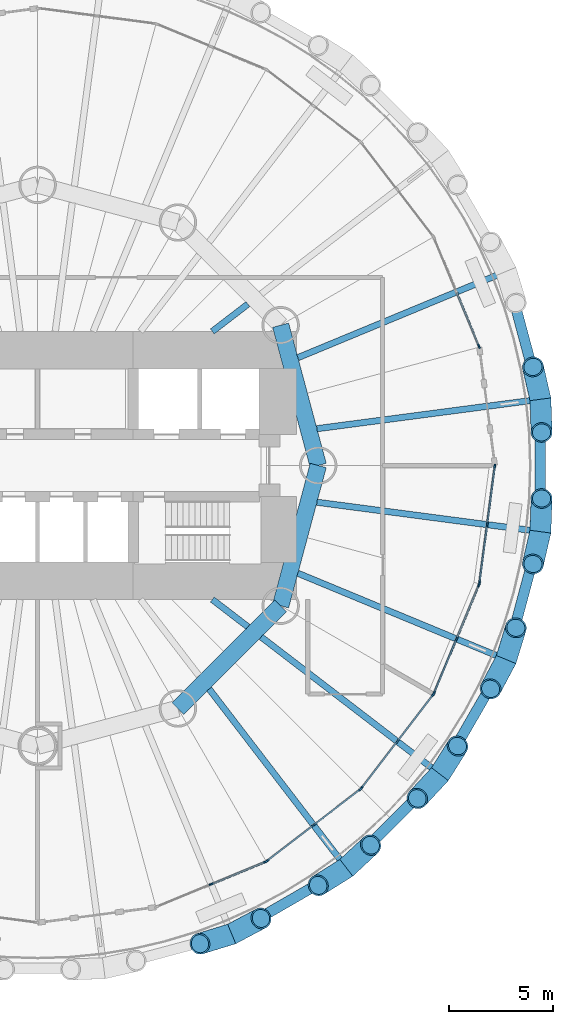
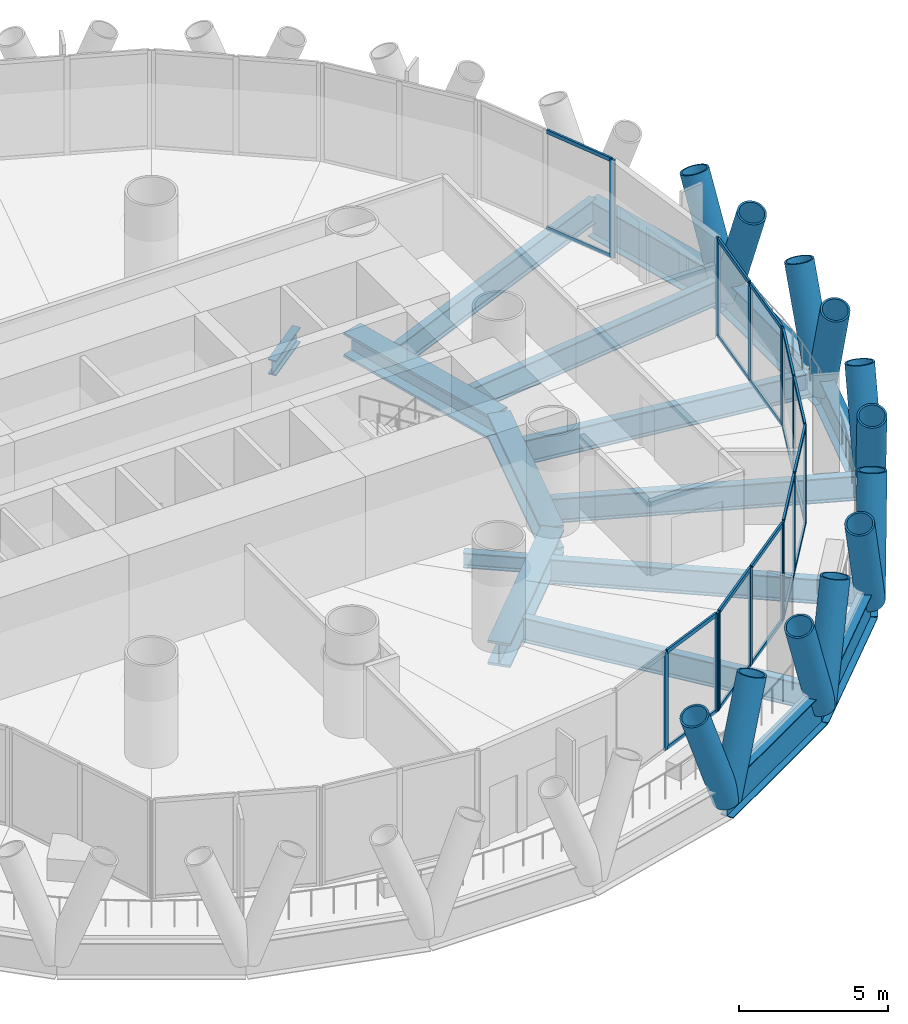
# One storey, part 4 of 14: 47 members, 17 beams, 6 elements without a shape of their own.
"""IFC4 building model written with IfcOpenShell, lengths in metres."""

from ifc_helpers import new_model, si_unit, direction, frame, origin, origin_2d, place, context, subcontext, project, spatial, rectangle, hollow_circle, i_section, extrude, material, material_profile, profile_set, type_object, element, aggregate, save


model = new_model("IFC4")

# Units and contexts
model_context = context("Model", 3, precision=1e-05, world=origin(), true_north=direction((0.0, 1.0)))
body_context = subcontext(model_context, "Body", "Model", "MODEL_VIEW")
ifc_project = project(units=[si_unit("LENGTHUNIT", "METRE"), si_unit("AREAUNIT", "SQUARE_METRE"), si_unit("VOLUMEUNIT", "CUBIC_METRE"), si_unit("PLANEANGLEUNIT", "RADIAN"), si_unit("MASSUNIT", "GRAM", prefix="KILO")], contexts=[model_context])

# Site, building, storey
site_placement = place(None, origin())
site = spatial("IfcSite", under=ifc_project, at=site_placement, CompositionType="ELEMENT")
building_placement = place(site_placement, origin())
building = spatial("IfcBuilding", under=site, at=building_placement, Name="Qaws Media Tower", CompositionType="ELEMENT")
storey_placement = place(building_placement, frame((0.0, 0.0, 185.60009765625)))
storey = spatial("IfcBuildingStorey", under=building, at=storey_placement, Name="L42", CompositionType="ELEMENT", Elevation=185.60009765625)

# Curtain wall, member
ifc_material_1 = material(Name="Aluminium and clear glass", Category="aluminium")
curtain_wall_type = type_object("IfcCurtainWallType", Name="Unitised curtain wall CW-B", PredefinedType="NOTDEFINED", material=ifc_material_1)
curtain_wall_1_placement = place(storey_placement, origin())
curtain_wall_1 = element("IfcCurtainWall", 1, at=curtain_wall_1_placement, inside=storey, type_object=curtain_wall_type, Name="CWB curtain wall L42-02", PredefinedType="NOTDEFINED")
ifc_material_2 = material(Name="Aluminium mullion", Category="aluminium")
ifc_material_profile_1 = material_profile(ifc_material_2, rectangle(XDim=0.080078125, YDim=0.199951171875, at=origin_2d()), Name="80x200")
ifc_profile_set_1 = profile_set([ifc_material_profile_1], Name="Aluminium mullion")
member_type_1 = type_object("IfcMemberType", Name="Curtain wall mullion 80x200", PredefinedType="MULLION", material=ifc_profile_set_1)
member_1_placement = place(storey_placement, frame((81.235107421875, 55.73095703125, 0.0), z_axis=(0.0, 0.0, 1.0), x_axis=(-0.923879550478, -0.38268338899, 0.0)))
member_1 = element("IfcMember", 2, at=member_1_placement, type_object=member_type_1, Name="CWB mullion 1", PredefinedType="MULLION", context=body_context, shape_type="SweptSolid", body=[
    extrude(rectangle(XDim=0.080078125, YDim=0.199951171875, at=origin_2d()), origin(), (0.0, 0.0, 1.0), 4.039794921875),
])

# Curtain wall, members
curtain_wall_2_placement = place(storey_placement, origin())
curtain_wall_2 = element("IfcCurtainWall", 3, at=curtain_wall_2_placement, inside=storey, type_object=curtain_wall_type, Name="CWB curtain wall L42-20", PredefinedType="NOTDEFINED")
member_2_placement = place(storey_placement, frame((68.346923828125, 29.8486328125, 0.0), z_axis=(0.0, 0.0, 1.0), x_axis=(-0.38268338899, 0.923879550478, 0.0)))
member_2 = element("IfcMember", 4, at=member_2_placement, type_object=member_type_1, Name="CWB mullion 2", PredefinedType="MULLION", context=body_context, shape_type="SweptSolid", body=[
    extrude(rectangle(XDim=0.080078125, YDim=0.199951171875, at=origin_2d()), origin(), (0.0, 0.0, 1.0), 4.039794921875),
])
member_3_placement = place(storey_placement, frame((70.963134765625, 30.93212890625, 0.0), z_axis=(0.0, 0.0, 1.0), x_axis=(-0.38268338899, 0.923879550478, 0.0)))
member_3 = element("IfcMember", 5, at=member_3_placement, type_object=member_type_1, Name="CWB mullion 3", PredefinedType="MULLION", context=body_context, shape_type="SweptSolid", body=[
    extrude(rectangle(XDim=0.080078125, YDim=0.199951171875, at=origin_2d()), origin(), (0.0, 0.0, 1.0), 4.039794921875),
])

curtain_wall_3_placement = place(storey_placement, origin())
curtain_wall_3 = element("IfcCurtainWall", 6, at=curtain_wall_3_placement, inside=storey, type_object=curtain_wall_type, Name="CWB curtain wall L42-21", PredefinedType="NOTDEFINED")
member_4_placement = place(storey_placement, frame((71.03173828125, 30.9716796875, 0.0), z_axis=(0.0, 0.0, 1.0), x_axis=(-0.608761477846, 0.793353302817, 0.0)))
member_4 = element("IfcMember", 7, at=member_4_placement, type_object=member_type_1, Name="CWB mullion 1", PredefinedType="MULLION", context=body_context, shape_type="SweptSolid", body=[
    extrude(rectangle(XDim=0.080078125, YDim=0.199951171875, at=origin_2d()), origin(), (0.0, 0.0, 1.0), 4.039794921875),
])
member_5_placement = place(storey_placement, frame((73.278076171875, 32.695556640625, 0.0), z_axis=(0.0, 0.0, 1.0), x_axis=(-0.608761477846, 0.793353302817, 0.0)))
member_5 = element("IfcMember", 8, at=member_5_placement, type_object=member_type_1, Name="CWB mullion 2", PredefinedType="MULLION", context=body_context, shape_type="SweptSolid", body=[
    extrude(rectangle(XDim=0.080078125, YDim=0.199951171875, at=origin_2d()), origin(), (0.0, 0.0, 1.0), 4.039794921875),
])
member_6_placement = place(storey_placement, frame((75.524658203125, 34.419189453125, 0.0), z_axis=(0.0, 0.0, 1.0), x_axis=(-0.608761477846, 0.793353302817, 0.0)))
member_6 = element("IfcMember", 9, at=member_6_placement, type_object=member_type_1, Name="CWB mullion 3", PredefinedType="MULLION", context=body_context, shape_type="SweptSolid", body=[
    extrude(rectangle(XDim=0.080078125, YDim=0.199951171875, at=origin_2d()), origin(), (0.0, 0.0, 1.0), 4.039794921875),
])

curtain_wall_4_placement = place(storey_placement, origin())
curtain_wall_4 = element("IfcCurtainWall", 10, at=curtain_wall_4_placement, inside=storey, type_object=curtain_wall_type, Name="CWB curtain wall L42-22", PredefinedType="NOTDEFINED")
member_7_placement = place(storey_placement, frame((75.580810546875, 34.475341796875, 0.0), z_axis=(0.0, 0.0, 1.0), x_axis=(-0.793353302817, 0.608761477846, 0.0)))
member_7 = element("IfcMember", 11, at=member_7_placement, type_object=member_type_1, Name="CWB mullion 1", PredefinedType="MULLION", context=body_context, shape_type="SweptSolid", body=[
    extrude(rectangle(XDim=0.080078125, YDim=0.199951171875, at=origin_2d()), origin(), (0.0, 0.0, 1.0), 4.039794921875),
])
member_8_placement = place(storey_placement, frame((77.304443359375, 36.721923828125, 0.0), z_axis=(0.0, 0.0, 1.0), x_axis=(-0.793353302817, 0.608761477846, 0.0)))
member_8 = element("IfcMember", 12, at=member_8_placement, type_object=member_type_1, Name="CWB mullion 2", PredefinedType="MULLION", context=body_context, shape_type="SweptSolid", body=[
    extrude(rectangle(XDim=0.080078125, YDim=0.199951171875, at=origin_2d()), origin(), (0.0, 0.0, 1.0), 4.039794921875),
])
member_9_placement = place(storey_placement, frame((79.0283203125, 38.96826171875, 0.0), z_axis=(0.0, 0.0, 1.0), x_axis=(-0.793353302817, 0.608761477846, 0.0)))
member_9 = element("IfcMember", 13, at=member_9_placement, type_object=member_type_1, Name="CWB mullion 3", PredefinedType="MULLION", context=body_context, shape_type="SweptSolid", body=[
    extrude(rectangle(XDim=0.080078125, YDim=0.199951171875, at=origin_2d()), origin(), (0.0, 0.0, 1.0), 4.039794921875),
])

curtain_wall_5_placement = place(storey_placement, origin())
curtain_wall_5 = element("IfcCurtainWall", 14, at=curtain_wall_5_placement, inside=storey, type_object=curtain_wall_type, Name="CWB curtain wall L42-23", PredefinedType="NOTDEFINED")
member_10_placement = place(storey_placement, frame((79.06787109375, 39.036865234375, 0.0), z_axis=(0.0, 0.0, 1.0), x_axis=(-0.923879550478, 0.38268338899, 0.0)))
member_10 = element("IfcMember", 15, at=member_10_placement, type_object=member_type_1, Name="CWB mullion 1", PredefinedType="MULLION", context=body_context, shape_type="SweptSolid", body=[
    extrude(rectangle(XDim=0.080078125, YDim=0.199951171875, at=origin_2d()), origin(), (0.0, 0.0, 1.0), 4.039794921875),
])
member_11_placement = place(storey_placement, frame((80.1513671875, 41.653076171875, 0.0), z_axis=(0.0, 0.0, 1.0), x_axis=(-0.923879550478, 0.38268338899, 0.0)))
member_11 = element("IfcMember", 16, at=member_11_placement, type_object=member_type_1, Name="CWB mullion 2", PredefinedType="MULLION", context=body_context, shape_type="SweptSolid", body=[
    extrude(rectangle(XDim=0.080078125, YDim=0.199951171875, at=origin_2d()), origin(), (0.0, 0.0, 1.0), 4.039794921875),
])
member_12_placement = place(storey_placement, frame((81.235107421875, 44.26904296875, 0.0), z_axis=(0.0, 0.0, 1.0), x_axis=(-0.923879550478, 0.38268338899, 0.0)))
member_12 = element("IfcMember", 17, at=member_12_placement, type_object=member_type_1, Name="CWB mullion 3", PredefinedType="MULLION", context=body_context, shape_type="SweptSolid", body=[
    extrude(rectangle(XDim=0.080078125, YDim=0.199951171875, at=origin_2d()), origin(), (0.0, 0.0, 1.0), 4.039794921875),
])

curtain_wall_6_placement = place(storey_placement, origin())
curtain_wall_6 = element("IfcCurtainWall", 18, at=curtain_wall_6_placement, inside=storey, type_object=curtain_wall_type, Name="CWB curtain wall L42-24", PredefinedType="NOTDEFINED")
member_13_placement = place(storey_placement, frame((81.255615234375, 44.345703125, 0.0), z_axis=(0.0, 0.0, 1.0), x_axis=(-0.991444857378, 0.130526222571, 0.0)))
member_13 = element("IfcMember", 19, at=member_13_placement, type_object=member_type_1, Name="CWB mullion 1", PredefinedType="MULLION", context=body_context, shape_type="SweptSolid", body=[
    extrude(rectangle(XDim=0.080078125, YDim=0.199951171875, at=origin_2d()), origin(), (0.0, 0.0, 1.0), 4.039794921875),
])
member_14_placement = place(storey_placement, frame((81.625244140625, 47.153076171875, 0.0), z_axis=(0.0, 0.0, 1.0), x_axis=(-0.991444857378, 0.130526222571, 0.0)))
member_14 = element("IfcMember", 20, at=member_14_placement, type_object=member_type_1, Name="CWB mullion 2", PredefinedType="MULLION", context=body_context, shape_type="SweptSolid", body=[
    extrude(rectangle(XDim=0.080078125, YDim=0.199951171875, at=origin_2d()), origin(), (0.0, 0.0, 1.0), 4.039794921875),
])
member_15_placement = place(storey_placement, frame((81.994873046875, 49.96044921875, 0.0), z_axis=(0.0, 0.0, 1.0), x_axis=(-0.991444857378, 0.130526222571, 0.0)))
member_15 = element("IfcMember", 21, at=member_15_placement, type_object=member_type_1, Name="CWB mullion 3", PredefinedType="MULLION", context=body_context, shape_type="SweptSolid", body=[
    extrude(rectangle(XDim=0.080078125, YDim=0.199951171875, at=origin_2d()), origin(), (0.0, 0.0, 1.0), 4.039794921875),
])

# Member
ifc_material_3 = material(Name="Aluminium transom", Category="aluminium")
ifc_material_profile_2 = material_profile(ifc_material_3, rectangle(XDim=0.080078125, YDim=0.159912109375, at=origin_2d()), Name="80x160")
ifc_profile_set_2 = profile_set([ifc_material_profile_2], Name="Aluminium transom")
member_type_2 = type_object("IfcMemberType", Name="Curtain wall transom 80x160", PredefinedType="USERDEFINED", material=ifc_profile_set_2)
member_16_placement = place(storey_placement, frame((81.2197265625, 55.767822265625, 0.039794921875), z_axis=(-0.382667844996, 0.923885988857, 0.0), x_axis=(-0.923885988857, -0.382667844996, 0.0)))
member_16 = element("IfcMember", 22, at=member_16_placement, type_object=member_type_2, Name="CWB transom 1.1", ObjectType="TRANSOM", PredefinedType="USERDEFINED", context=body_context, shape_type="SweptSolid", body=[
    extrude(rectangle(XDim=0.080078125, YDim=0.159912109375, at=origin_2d()), origin(), (0.0, 0.0, 1.0), 2.751708984375),
])

member_17_placement = place(storey_placement, frame((81.2197265625, 55.767822265625, 4.0), z_axis=(-0.382667844996, 0.923885988857, 0.0), x_axis=(-0.923885988857, -0.382667844996, 0.0)))
member_17 = element("IfcMember", 23, at=member_17_placement, type_object=member_type_2, Name="CWB transom 1.2", ObjectType="TRANSOM", PredefinedType="USERDEFINED", context=body_context, shape_type="SweptSolid", body=[
    extrude(rectangle(XDim=0.080078125, YDim=0.159912109375, at=origin_2d()), origin(), (0.0, 0.0, 1.0), 2.751708984375),
])

aggregate(curtain_wall_1, [member_1, member_16, member_17])

member_18_placement = place(storey_placement, frame((68.384033203125, 29.86376953125, 0.039794921875), z_axis=(0.923872994947, 0.38269921506, 0.0), x_axis=(-0.38269921506, 0.923872994947, 0.0)))
member_18 = element("IfcMember", 24, at=member_18_placement, type_object=member_type_2, Name="CWB transom 2.1", ObjectType="TRANSOM", PredefinedType="USERDEFINED", context=body_context, shape_type="SweptSolid", body=[
    extrude(rectangle(XDim=0.080078125, YDim=0.159912109375, at=origin_2d()), origin(), (0.0, 0.0, 1.0), 2.75146484375),
])

member_19_placement = place(storey_placement, frame((68.384033203125, 29.86376953125, 4.0), z_axis=(0.923872994947, 0.38269921506, 0.0), x_axis=(-0.38269921506, 0.923872994947, 0.0)))
member_19 = element("IfcMember", 25, at=member_19_placement, type_object=member_type_2, Name="CWB transom 2.2", ObjectType="TRANSOM", PredefinedType="USERDEFINED", context=body_context, shape_type="SweptSolid", body=[
    extrude(rectangle(XDim=0.080078125, YDim=0.159912109375, at=origin_2d()), origin(), (0.0, 0.0, 1.0), 2.75146484375),
])

aggregate(curtain_wall_2, [member_2, member_3, member_18, member_19])

member_20_placement = place(storey_placement, frame((71.0634765625, 30.99609375, 0.039794921875), z_axis=(0.793339224104, 0.60877982514, 0.0), x_axis=(-0.60877982514, 0.793339224104, 0.0)))
member_20 = element("IfcMember", 26, at=member_20_placement, type_object=member_type_2, Name="CWB transom 1.1", ObjectType="TRANSOM", PredefinedType="USERDEFINED", context=body_context, shape_type="SweptSolid", body=[
    extrude(rectangle(XDim=0.080078125, YDim=0.159912109375, at=origin_2d()), origin(), (0.0, 0.0, 1.0), 2.75146484375),
])

member_21_placement = place(storey_placement, frame((71.0634765625, 30.99609375, 4.0), z_axis=(0.793339224104, 0.60877982514, 0.0), x_axis=(-0.60877982514, 0.793339224104, 0.0)))
member_21 = element("IfcMember", 27, at=member_21_placement, type_object=member_type_2, Name="CWB transom 1.2", ObjectType="TRANSOM", PredefinedType="USERDEFINED", context=body_context, shape_type="SweptSolid", body=[
    extrude(rectangle(XDim=0.080078125, YDim=0.159912109375, at=origin_2d()), origin(), (0.0, 0.0, 1.0), 2.75146484375),
])

member_22_placement = place(storey_placement, frame((73.309814453125, 32.719970703125, 0.039794921875), z_axis=(0.793372105291, 0.608736973205, 0.0), x_axis=(-0.608736973205, 0.793372105291, 0.0)))
member_22 = element("IfcMember", 28, at=member_22_placement, type_object=member_type_2, Name="CWB transom 2.1", ObjectType="TRANSOM", PredefinedType="USERDEFINED", context=body_context, shape_type="SweptSolid", body=[
    extrude(rectangle(XDim=0.080078125, YDim=0.159912109375, at=origin_2d()), origin(), (0.0, 0.0, 1.0), 2.751708984375),
])

member_23_placement = place(storey_placement, frame((73.309814453125, 32.719970703125, 4.0), z_axis=(0.793372105291, 0.608736973205, 0.0), x_axis=(-0.608736973205, 0.793372105291, 0.0)))
member_23 = element("IfcMember", 29, at=member_23_placement, type_object=member_type_2, Name="CWB transom 2.2", ObjectType="TRANSOM", PredefinedType="USERDEFINED", context=body_context, shape_type="SweptSolid", body=[
    extrude(rectangle(XDim=0.080078125, YDim=0.159912109375, at=origin_2d()), origin(), (0.0, 0.0, 1.0), 2.751708984375),
])

aggregate(curtain_wall_3, [member_4, member_5, member_6, member_20, member_21, member_22, member_23])

member_24_placement = place(storey_placement, frame((75.60498046875, 34.507080078125, 0.039794921875), z_axis=(0.608736973205, 0.793372105291, 0.0), x_axis=(-0.793372105291, 0.608736973205, 0.0)))
member_24 = element("IfcMember", 30, at=member_24_placement, type_object=member_type_2, Name="CWB transom 1.1", ObjectType="TRANSOM", PredefinedType="USERDEFINED", context=body_context, shape_type="SweptSolid", body=[
    extrude(rectangle(XDim=0.080078125, YDim=0.159912109375, at=origin_2d()), origin(), (0.0, 0.0, 1.0), 2.751708984375),
])

member_25_placement = place(storey_placement, frame((75.60498046875, 34.507080078125, 4.0), z_axis=(0.608736973205, 0.793372105291, 0.0), x_axis=(-0.793372105291, 0.608736973205, 0.0)))
member_25 = element("IfcMember", 31, at=member_25_placement, type_object=member_type_2, Name="CWB transom 1.2", ObjectType="TRANSOM", PredefinedType="USERDEFINED", context=body_context, shape_type="SweptSolid", body=[
    extrude(rectangle(XDim=0.080078125, YDim=0.159912109375, at=origin_2d()), origin(), (0.0, 0.0, 1.0), 2.751708984375),
])

member_26_placement = place(storey_placement, frame((77.328857421875, 36.753662109375, 0.039794921875), z_axis=(0.60877982514, 0.793339224104, 0.0), x_axis=(-0.793339224104, 0.60877982514, 0.0)))
member_26 = element("IfcMember", 32, at=member_26_placement, type_object=member_type_2, Name="CWB transom 2.1", ObjectType="TRANSOM", PredefinedType="USERDEFINED", context=body_context, shape_type="SweptSolid", body=[
    extrude(rectangle(XDim=0.080078125, YDim=0.159912109375, at=origin_2d()), origin(), (0.0, 0.0, 1.0), 2.75146484375),
])

member_27_placement = place(storey_placement, frame((77.328857421875, 36.753662109375, 4.0), z_axis=(0.60877982514, 0.793339224104, 0.0), x_axis=(-0.793339224104, 0.60877982514, 0.0)))
member_27 = element("IfcMember", 33, at=member_27_placement, type_object=member_type_2, Name="CWB transom 2.2", ObjectType="TRANSOM", PredefinedType="USERDEFINED", context=body_context, shape_type="SweptSolid", body=[
    extrude(rectangle(XDim=0.080078125, YDim=0.159912109375, at=origin_2d()), origin(), (0.0, 0.0, 1.0), 2.75146484375),
])

aggregate(curtain_wall_4, [member_7, member_8, member_9, member_24, member_25, member_26, member_27])

member_28_placement = place(storey_placement, frame((79.083251953125, 39.073974609375, 0.039794921875), z_axis=(0.38269921506, 0.923872994947, 0.0), x_axis=(-0.923872994947, 0.38269921506, 0.0)))
member_28 = element("IfcMember", 34, at=member_28_placement, type_object=member_type_2, Name="CWB transom 1.1", ObjectType="TRANSOM", PredefinedType="USERDEFINED", context=body_context, shape_type="SweptSolid", body=[
    extrude(rectangle(XDim=0.080078125, YDim=0.159912109375, at=origin_2d()), origin(), (0.0, 0.0, 1.0), 2.75146484375),
])

member_29_placement = place(storey_placement, frame((79.083251953125, 39.073974609375, 4.0), z_axis=(0.38269921506, 0.923872994947, 0.0), x_axis=(-0.923872994947, 0.38269921506, 0.0)))
member_29 = element("IfcMember", 35, at=member_29_placement, type_object=member_type_2, Name="CWB transom 1.2", ObjectType="TRANSOM", PredefinedType="USERDEFINED", context=body_context, shape_type="SweptSolid", body=[
    extrude(rectangle(XDim=0.080078125, YDim=0.159912109375, at=origin_2d()), origin(), (0.0, 0.0, 1.0), 2.75146484375),
])

member_30_placement = place(storey_placement, frame((80.166748046875, 41.68994140625, 0.039794921875), z_axis=(0.382667844996, 0.923885988857, 0.0), x_axis=(-0.923885988857, 0.382667844996, 0.0)))
member_30 = element("IfcMember", 36, at=member_30_placement, type_object=member_type_2, Name="CWB transom 2.1", ObjectType="TRANSOM", PredefinedType="USERDEFINED", context=body_context, shape_type="SweptSolid", body=[
    extrude(rectangle(XDim=0.080078125, YDim=0.159912109375, at=origin_2d()), origin(), (0.0, 0.0, 1.0), 2.751708984375),
])

member_31_placement = place(storey_placement, frame((80.166748046875, 41.68994140625, 4.0), z_axis=(0.382667844996, 0.923885988857, 0.0), x_axis=(-0.923885988857, 0.382667844996, 0.0)))
member_31 = element("IfcMember", 37, at=member_31_placement, type_object=member_type_2, Name="CWB transom 2.2", ObjectType="TRANSOM", PredefinedType="USERDEFINED", context=body_context, shape_type="SweptSolid", body=[
    extrude(rectangle(XDim=0.080078125, YDim=0.159912109375, at=origin_2d()), origin(), (0.0, 0.0, 1.0), 2.751708984375),
])

aggregate(curtain_wall_5, [member_10, member_11, member_12, member_28, member_29, member_30, member_31])

member_32_placement = place(storey_placement, frame((81.2607421875, 44.38525390625, 0.039794921875), z_axis=(0.130518778133, 0.991445837429, 0.0), x_axis=(-0.991445837429, 0.130518778133, 0.0)))
member_32 = element("IfcMember", 38, at=member_32_placement, type_object=member_type_2, Name="CWB transom 1.1", ObjectType="TRANSOM", PredefinedType="USERDEFINED", context=body_context, shape_type="SweptSolid", body=[
    extrude(rectangle(XDim=0.080078125, YDim=0.159912109375, at=origin_2d()), origin(), (0.0, 0.0, 1.0), 2.75146484375),
])

member_33_placement = place(storey_placement, frame((81.2607421875, 44.38525390625, 4.0), z_axis=(0.130518778133, 0.991445837429, 0.0), x_axis=(-0.991445837429, 0.130518778133, 0.0)))
member_33 = element("IfcMember", 39, at=member_33_placement, type_object=member_type_2, Name="CWB transom 1.2", ObjectType="TRANSOM", PredefinedType="USERDEFINED", context=body_context, shape_type="SweptSolid", body=[
    extrude(rectangle(XDim=0.080078125, YDim=0.159912109375, at=origin_2d()), origin(), (0.0, 0.0, 1.0), 2.75146484375),
])

member_34_placement = place(storey_placement, frame((81.63037109375, 47.192626953125, 0.039794921875), z_axis=(0.130518778133, 0.991445837429, 0.0), x_axis=(-0.991445837429, 0.130518778133, 0.0)))
member_34 = element("IfcMember", 40, at=member_34_placement, type_object=member_type_2, Name="CWB transom 2.1", ObjectType="TRANSOM", PredefinedType="USERDEFINED", context=body_context, shape_type="SweptSolid", body=[
    extrude(rectangle(XDim=0.080078125, YDim=0.159912109375, at=origin_2d()), origin(), (0.0, 0.0, 1.0), 2.75146484375),
])

member_35_placement = place(storey_placement, frame((81.63037109375, 47.192626953125, 4.0), z_axis=(0.130518778133, 0.991445837429, 0.0), x_axis=(-0.991445837429, 0.130518778133, 0.0)))
member_35 = element("IfcMember", 41, at=member_35_placement, type_object=member_type_2, Name="CWB transom 2.2", ObjectType="TRANSOM", PredefinedType="USERDEFINED", context=body_context, shape_type="SweptSolid", body=[
    extrude(rectangle(XDim=0.080078125, YDim=0.159912109375, at=origin_2d()), origin(), (0.0, 0.0, 1.0), 2.75146484375),
])

aggregate(curtain_wall_6, [member_13, member_14, member_15, member_32, member_33, member_34, member_35])

# Members
ifc_material_4 = material(Name="Steel S460", Category="steel")
ifc_material_profile_3 = material_profile(ifc_material_4, hollow_circle(Radius=0.508056640625, WallThickness=0.070068359375, at=origin_2d()), Name="CHS 1016x70")
ifc_profile_set_3 = profile_set([ifc_material_profile_3], Name="Steel S460")
member_type_3 = type_object("IfcMemberType", Name="Diagrid member CHS 1016x70", PredefinedType="USERDEFINED", material=ifc_profile_set_3)
for number, where, z_axis, x_axis, name in (
    (42, (84.191162109375, 53.184814453125, -0.91015625), (-0.079710554572, 0.346281775248, 0.93473801657), (-0.974514753166, -0.224323417997, 0.0), "DG3 diagrid L42 A01"),
    (43, (84.191162109375, 53.184814453125, -0.91015625), (0.012660356523, -0.35508768187, 0.93474726721), (0.999364995445, 0.035631529294, 0.0), "DG3 diagrid L42 B01"),
    (44, (69.33740234375, 27.457275390625, -0.91015625), (0.313842658324, 0.166647408774, 0.934736019936), (-0.468976335573, 0.883210731747, 0.0), "DG3 diagrid L42 A20"),
    (45, (69.33740234375, 27.457275390625, -0.91015625), (-0.339711490552, -0.104108639779, 0.934749963525), (0.293011030159, -0.956109060832, 0.0), "DG3 diagrid L42 B20"),
    (46, (74.853759765625, 30.64208984375, -0.91015625), (0.260049614354, 0.242173240947, 0.934733287865), (-0.68150607929, 0.731812451309, 0.0), "DG3 diagrid L42 A21"),
    (47, (74.853759765625, 30.64208984375, -0.91015625), (-0.301236241932, -0.188489993373, 0.934734319978), (0.530438694672, -0.847723298721, 0.0), "DG3 diagrid L42 B21"),
    (48, (79.35791015625, 35.146240234375, -0.91015625), (0.188489993373, 0.301236241932, 0.934734319978), (-0.847723298721, 0.530438694672, 0.0), "DG3 diagrid L42 A22"),
    (49, (79.35791015625, 35.146240234375, -0.91015625), (-0.242173240947, -0.260049614354, 0.934733287865), (0.731812451309, -0.68150607929, 0.0), "DG3 diagrid L42 B22"),
    (50, (82.542724609375, 40.66259765625, -0.91015625), (0.104108639779, 0.339711490552, 0.934749963525), (-0.956109060832, 0.293011030159, 0.0), "DG3 diagrid L42 A23"),
    (51, (82.542724609375, 40.66259765625, -0.91015625), (-0.166647408774, -0.313842658324, 0.934736019936), (0.883210731747, -0.468976335573, 0.0), "DG3 diagrid L42 B23"),
    (52, (84.191162109375, 46.815185546875, -0.91015625), (0.012660356523, 0.35508768187, 0.93474726721), (-0.999364995445, 0.035631529294, 0.0), "DG3 diagrid L42 A24"),
    (53, (84.191162109375, 46.815185546875, -0.91015625), (-0.079710554572, -0.346281775248, 0.93473801657), (0.974514753166, -0.224323417997, 0.0), "DG3 diagrid L42 B24"),
):
    element("IfcMember", number, at=place(storey_placement, frame(where, z_axis=z_axis, x_axis=x_axis)), inside=storey, type_object=member_type_3, Name=name, ObjectType="DIAGRID", PredefinedType="USERDEFINED", context=body_context, shape_type="SweptSolid", body=[
        extrude(hollow_circle(Radius=0.508056640625, WallThickness=0.070068359375, at=origin_2d()), origin(), (0.0, 0.0, 1.0), 4.4931640625),
    ])

# Beams
ifc_material_5 = material(Name="Steel S460", Category="steel")
ifc_material_profile_4 = material_profile(ifc_material_5, i_section(OverallWidth=0.5, OverallDepth=1.5, WebThickness=0.02001953125, FlangeThickness=0.0400390625, at=origin_2d()), Name="PG 1500x500")
ifc_profile_set_4 = profile_set([ifc_material_profile_4], Name="Steel S460")
beam_type_1 = type_object("IfcBeamType", Name="Edge ring beam PG 1500x500", PredefinedType="BEAM", material=ifc_profile_set_4)
for number, where, z_axis, x_axis, name in (
    (54, (84.191162109375, 53.184814453125, -0.91015625), (-0.258798031621, 0.965931456589, 0.0), (-0.965931456589, -0.258798031621, 0.0), "RB4 edge ring beam L42-01"),
    (55, (69.33740234375, 27.457275390625, -0.91015625), (0.866029209911, 0.499993407537, 0.0), (-0.499993407537, 0.866029209911, 0.0), "RB4 edge ring beam L42-20"),
):
    element("IfcBeam", number, at=place(storey_placement, frame(where, z_axis=z_axis, x_axis=x_axis)), inside=storey, type_object=beam_type_1, Name=name, PredefinedType="BEAM", context=body_context, shape_type="SweptSolid", body=[
        extrude(i_section(OverallWidth=0.5, OverallDepth=1.5, WebThickness=0.02001953125, FlangeThickness=0.0400390625, at=origin_2d()), origin(), (0.0, 0.0, 1.0), 6.36962890625),
    ])
beam_1_placement = place(storey_placement, frame((74.853759765625, 30.64208984375, -0.91015625), z_axis=(0.707106781187, 0.707106781187, 0.0), x_axis=(-0.707106781187, 0.707106781187, 0.0)))
element("IfcBeam", 56, at=beam_1_placement, inside=storey, type_object=beam_type_1, Name="RB4 edge ring beam L42-21", PredefinedType="BEAM", context=body_context, shape_type="SweptSolid", body=[
    extrude(i_section(OverallWidth=0.5, OverallDepth=1.5, WebThickness=0.02001953125, FlangeThickness=0.0400390625, at=origin_2d()), origin(), (0.0, 0.0, 1.0), 6.369873046875),
])
for number, where, z_axis, x_axis, name in (
    (57, (79.35791015625, 35.146240234375, -0.91015625), (0.499993407537, 0.866029209911, 0.0), (-0.866029209911, 0.499993407537, 0.0), "RB4 edge ring beam L42-22"),
    (58, (82.542724609375, 40.66259765625, -0.91015625), (0.258798031621, 0.965931456589, 0.0), (-0.965931456589, 0.258798031621, 0.0), "RB4 edge ring beam L42-23"),
    (59, (84.191162109375, 46.815185546875, -0.91015625), (0.0, 1.0, 0.0), (-1.0, 0.0, 0.0), "RB4 edge ring beam L42-24"),
):
    element("IfcBeam", number, at=place(storey_placement, frame(where, z_axis=z_axis, x_axis=x_axis)), inside=storey, type_object=beam_type_1, Name=name, PredefinedType="BEAM", context=body_context, shape_type="SweptSolid", body=[
        extrude(i_section(OverallWidth=0.5, OverallDepth=1.5, WebThickness=0.02001953125, FlangeThickness=0.0400390625, at=origin_2d()), origin(), (0.0, 0.0, 1.0), 6.36962890625),
    ])
ifc_material_6 = material(Name="Steel S460", Category="steel")
ifc_material_profile_5 = material_profile(ifc_material_6, i_section(OverallWidth=0.800048828125, OverallDepth=1.0, WebThickness=0.0400390625, FlangeThickness=0.10009765625, at=origin_2d()), Name="PG 1000x800")
ifc_profile_set_5 = profile_set([ifc_material_profile_5], Name="Steel S460")
beam_type_2 = type_object("IfcBeamType", Name="Inner ring girder PG 1000x800", PredefinedType="BEAM", material=ifc_profile_set_5)
beam_2_placement = place(storey_placement, frame((73.5, 50.0, -0.66015625), z_axis=(-0.258810593767, 0.965928090778, 0.0), x_axis=(-0.965928090778, -0.258810593767, 0.0)))
element("IfcBeam", 60, at=beam_2_placement, inside=storey, type_object=beam_type_2, Name="B3 inner ring beam L42 I01-I02", PredefinedType="BEAM", context=body_context, shape_type="SweptSolid", body=[
    extrude(i_section(OverallWidth=0.800048828125, OverallDepth=1.0, WebThickness=0.0400390625, FlangeThickness=0.10009765625, at=origin_2d()), origin(), (0.0, 0.0, 1.0), 6.988037109375),
])
beam_3_placement = place(storey_placement, frame((66.75, 38.30859375, -0.66015625), z_axis=(0.707106781187, 0.707106781187, 0.0), x_axis=(-0.707106781187, 0.707106781187, 0.0)))
element("IfcBeam", 61, at=beam_3_placement, inside=storey, type_object=beam_type_2, Name="B3 inner ring beam L42 I11-I12", PredefinedType="BEAM", context=body_context, shape_type="SweptSolid", body=[
    extrude(i_section(OverallWidth=0.800048828125, OverallDepth=1.0, WebThickness=0.0400390625, FlangeThickness=0.10009765625, at=origin_2d()), origin(), (0.0, 0.0, 1.0), 6.98828125),
])
beam_4_placement = place(storey_placement, frame((71.69140625, 43.25, -0.66015625), z_axis=(0.258810593767, 0.965928090778, 0.0), x_axis=(-0.965928090778, 0.258810593767, 0.0)))
element("IfcBeam", 62, at=beam_4_placement, inside=storey, type_object=beam_type_2, Name="B3 inner ring beam L42 I12-I01", PredefinedType="BEAM", context=body_context, shape_type="SweptSolid", body=[
    extrude(i_section(OverallWidth=0.800048828125, OverallDepth=1.0, WebThickness=0.0400390625, FlangeThickness=0.10009765625, at=origin_2d()), origin(), (0.0, 0.0, 1.0), 6.988037109375),
])
ifc_material_7 = material(Name="Steel S355", Category="steel")
ifc_material_profile_6 = material_profile(ifc_material_7, i_section(OverallWidth=0.302001953125, OverallDepth=1.008056640625, WebThickness=0.02099609375, FlangeThickness=0.0400390625, FilletRadius=0.030029296875, at=origin_2d()), Name="HE 1000 M")
ifc_profile_set_6 = profile_set([ifc_material_profile_6], Name="Steel S355")
beam_type_3 = type_object("IfcBeamType", Name="Radial beam HE 1000 M", PredefinedType="BEAM", material=ifc_profile_set_6)
for number, where, z_axis, x_axis, name in (
    (63, (73.43994140625, 51.769287109375, -0.6640625), (0.991443640675, 0.130535464011, 0.0), (-0.130535464011, 0.991443640675, 0.0), "B1 radial beam L42 01"),
    (64, (72.524169921875, 55.187744140625, -0.6640625), (0.923884847613, 0.382670600323, 0.0), (-0.382670600323, 0.923884847613, 0.0), "B1 radial beam L42 02"),
    (65, (68.25244140625, 39.245361328125, -0.6640625), (0.608749586342, -0.793362427349, 0.0), (0.793362427349, 0.608749586342, 0.0), "B1 radial beam L42 21"),
    (66, (70.754638671875, 41.74755859375, -0.6640625), (0.793362427349, -0.608749586342, 0.0), (0.608749586342, 0.793362427349, 0.0), "B1 radial beam L42 22"),
    (67, (72.524169921875, 44.812255859375, -0.6640625), (0.923884847613, -0.382670600323, 0.0), (0.382670600323, 0.923884847613, 0.0), "B1 radial beam L42 23"),
    (68, (73.43994140625, 48.230712890625, -0.6640625), (0.991443640675, -0.130535464011, 0.0), (0.130535464011, 0.991443640675, 0.0), "B1 radial beam L42 24"),
):
    element("IfcBeam", number, at=place(storey_placement, frame(where, z_axis=z_axis, x_axis=x_axis)), inside=storey, type_object=beam_type_3, Name=name, PredefinedType="BEAM", context=body_context, shape_type="SweptSolid", body=[
        extrude(i_section(OverallWidth=0.302001953125, OverallDepth=1.008056640625, WebThickness=0.02099609375, FlangeThickness=0.0400390625, FilletRadius=0.030029296875, at=origin_2d()), origin(), (0.0, 0.0, 1.0), 10.843994140625),
    ])
ifc_material_8 = material(Name="Steel S355", Category="steel")
ifc_material_profile_7 = material_profile(ifc_material_8, i_section(OverallWidth=0.304931640625, OverallDepth=0.6201171875, WebThickness=0.02099609375, FlangeThickness=0.0400390625, FilletRadius=0.027099609375, at=origin_2d()), Name="HE 600 M")
ifc_profile_set_7 = profile_set([ifc_material_profile_7], Name="Steel S355")
beam_type_4 = type_object("IfcBeamType", Name="Radial beam HE 600 M, core side", PredefinedType="BEAM", material=ifc_profile_set_7)
for number, where, z_axis, x_axis, name in (
    (69, (68.40576171875, 56.449951171875, -0.47021484375), (0.793327149805, 0.608795559595, 0.0), (-0.608795559595, 0.793327149805, 0.0), "B2 radial beam L42 03"),
    (70, (68.40576171875, 43.550048828125, -0.47021484375), (0.793327149805, -0.608795559595, 0.0), (0.608795559595, 0.793327149805, 0.0), "B2 radial beam L42 22"),
):
    element("IfcBeam", number, at=place(storey_placement, frame(where, z_axis=z_axis, x_axis=x_axis)), inside=storey, type_object=beam_type_4, Name=name, PredefinedType="BEAM", context=body_context, shape_type="SweptSolid", body=[
        extrude(i_section(OverallWidth=0.304931640625, OverallDepth=0.6201171875, WebThickness=0.02099609375, FlangeThickness=0.0400390625, FilletRadius=0.027099609375, at=origin_2d()), origin(), (0.0, 0.0, 1.0), 2.15380859375),
    ])

save(model, "model.ifc")
